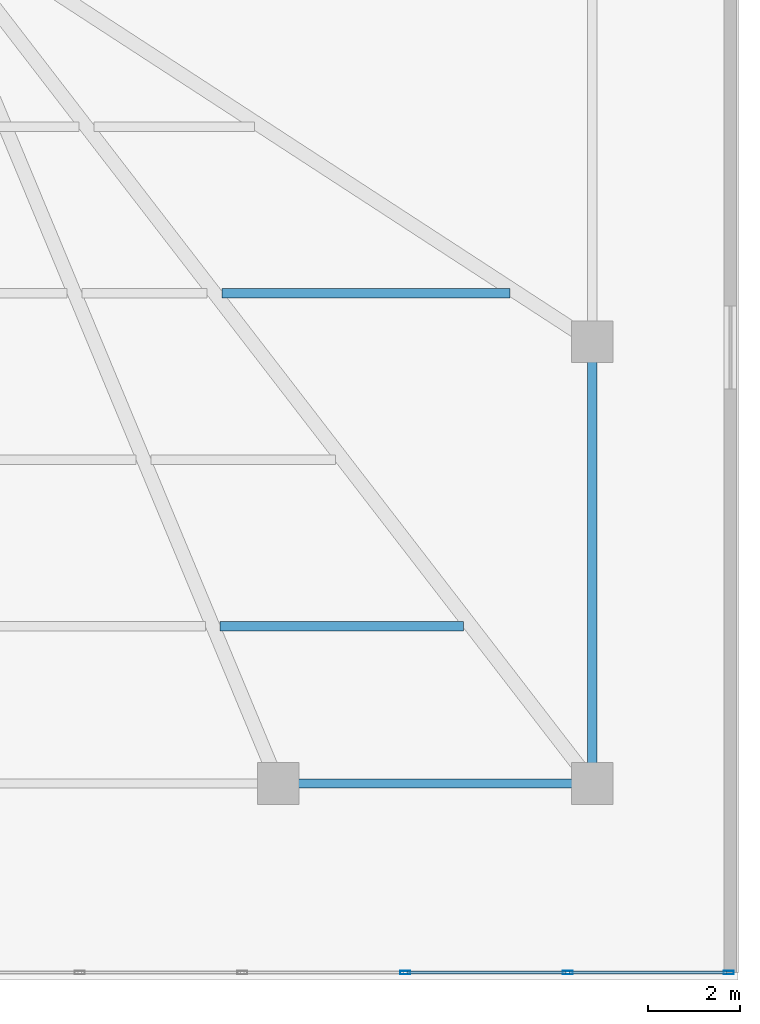
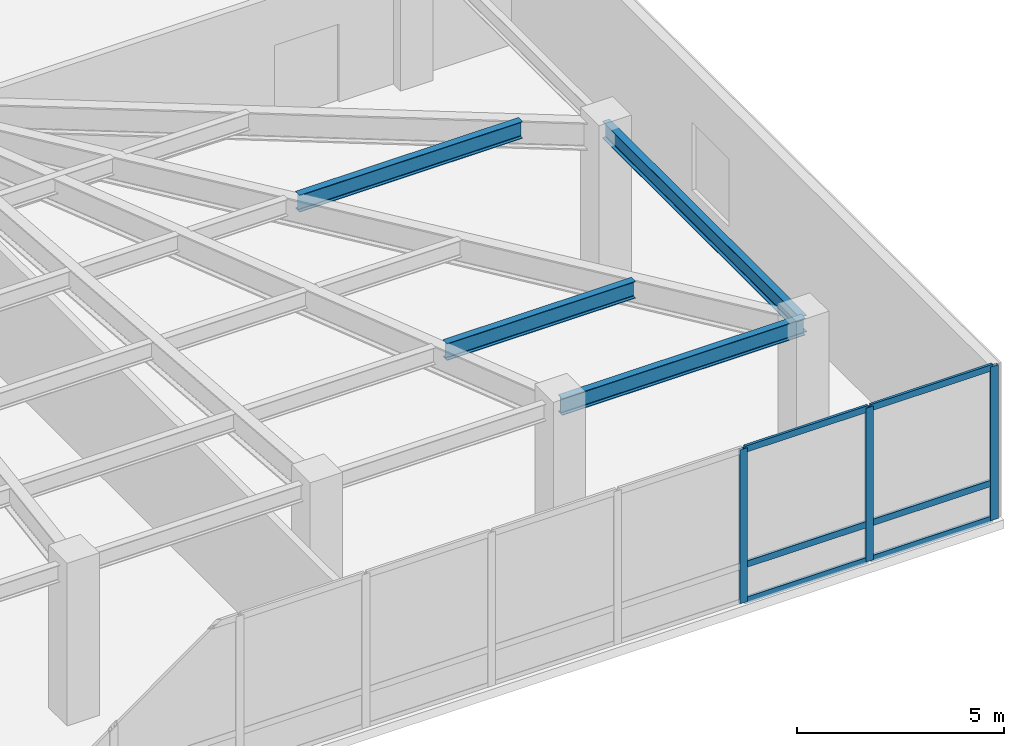
# One storey, part 10 of 19: 9 members, 4 beams, 1 element without a shape of its own.
"""IFC4 building model written with IfcOpenShell, lengths in metres."""

from ifc_helpers import new_model, si_unit, direction, frame, origin, origin_2d, place, context, subcontext, project, spatial, hollow_rectangle, i_section, extrude, material, material_profile, profile_set, type_object, element, aggregate, save


model = new_model("IFC4")

# Units and contexts
model_context = context("Model", 3, precision=1e-05, world=origin(), true_north=direction((0.0, 1.0)))
body_context = subcontext(model_context, "Body", "Model", "MODEL_VIEW")
ifc_project = project(units=[si_unit("LENGTHUNIT", "METRE"), si_unit("AREAUNIT", "SQUARE_METRE"), si_unit("VOLUMEUNIT", "CUBIC_METRE"), si_unit("PLANEANGLEUNIT", "RADIAN"), si_unit("MASSUNIT", "GRAM", prefix="KILO")], contexts=[model_context])

# Site, building, storey
site_placement = place(None, origin())
site = spatial("IfcSite", under=ifc_project, at=site_placement, CompositionType="ELEMENT")
building_placement = place(site_placement, origin())
building = spatial("IfcBuilding", under=site, at=building_placement, Name="Yelkora Congress Tower", CompositionType="ELEMENT")
storey_placement = place(building_placement, frame((0.0, 0.0, 15.60009765625)))
storey = spatial("IfcBuildingStorey", under=building, at=storey_placement, Name="L03", CompositionType="ELEMENT", Elevation=15.60009765625)

# Beams
ifc_material_1 = material(Name="Steel S355J2", Category="steel")
ifc_material_profile_1 = material_profile(ifc_material_1, i_section(OverallWidth=0.199951171875, OverallDepth=0.5, WebThickness=0.01025390625, FlangeThickness=0.01611328125, FilletRadius=0.02099609375, at=origin_2d()), Name="IPE 500")
ifc_profile_set_1 = profile_set([ifc_material_profile_1], Name="Steel S355J2")
beam_type_1 = type_object("IfcBeamType", Name="BM-JOIST-IPE500", PredefinedType="JOIST", material=ifc_profile_set_1)
beam_1_placement = place(storey_placement, frame((64.306640625, 9.449951171875, 4.289794921875), z_axis=(1.0, 0.0, 0.0), x_axis=(0.0, 1.0, 0.0)))
element("IfcBeam", 1, at=beam_1_placement, inside=storey, type_object=beam_type_1, Name="L03 Composite Floor Joist 10", PredefinedType="JOIST", context=body_context, shape_type="SweptSolid", body=[
    extrude(i_section(OverallWidth=0.199951171875, OverallDepth=0.5, WebThickness=0.01025390625, FlangeThickness=0.01611328125, FilletRadius=0.02099609375, at=origin_2d()), origin(), (0.0, 0.0, 1.0), 5.2646484375),
])
beam_2_placement = place(storey_placement, frame((64.345458984375, 16.64990234375, 4.289794921875), z_axis=(1.0, 0.0, 0.0), x_axis=(0.0, 1.0, 0.0)))
element("IfcBeam", 2, at=beam_2_placement, inside=storey, type_object=beam_type_1, Name="L03 Composite Floor Joist 31", PredefinedType="JOIST", context=body_context, shape_type="SweptSolid", body=[
    extrude(i_section(OverallWidth=0.199951171875, OverallDepth=0.5, WebThickness=0.01025390625, FlangeThickness=0.01611328125, FilletRadius=0.02099609375, at=origin_2d()), origin(), (0.0, 0.0, 1.0), 6.231201171875),
])
ifc_material_profile_2 = material_profile(ifc_material_1, i_section(OverallWidth=0.199951171875, OverallDepth=0.5, WebThickness=0.01025390625, FlangeThickness=0.01611328125, FilletRadius=0.02099609375, at=origin_2d()), Name="IPE 500")
ifc_profile_set_2 = profile_set([ifc_material_profile_2], Name="Steel S355J2")
beam_type_2 = type_object("IfcBeamType", Name="BM-SPAN-IPE500B", PredefinedType="BEAM", material=ifc_profile_set_2)
beam_3_placement = place(storey_placement, frame((65.56005859375, 6.050048828125, 4.289794921875), z_axis=(1.0, 0.0, 0.0), x_axis=(0.0, 1.0, 0.0)))
element("IfcBeam", 3, at=beam_3_placement, inside=storey, type_object=beam_type_2, Name="L03 Perimeter Beam 11", PredefinedType="BEAM", context=body_context, shape_type="SweptSolid", body=[
    extrude(i_section(OverallWidth=0.199951171875, OverallDepth=0.5, WebThickness=0.01025390625, FlangeThickness=0.01611328125, FilletRadius=0.02099609375, at=origin_2d()), origin(), (0.0, 0.0, 1.0), 6.7900390625),
])
beam_4_placement = place(storey_placement, frame((72.35009765625, 6.050048828125, 4.289794921875), z_axis=(0.0, 1.0, 0.0), x_axis=(-1.0, 0.0, 0.0)))
element("IfcBeam", 4, at=beam_4_placement, inside=storey, type_object=beam_type_2, Name="L03 Perimeter Beam 12", PredefinedType="BEAM", context=body_context, shape_type="SweptSolid", body=[
    extrude(i_section(OverallWidth=0.199951171875, OverallDepth=0.5, WebThickness=0.01025390625, FlangeThickness=0.01611328125, FilletRadius=0.02099609375, at=origin_2d()), origin(), (0.0, 0.0, 1.0), 9.550048828125),
])

# Curtain wall, members
ifc_material_2 = material(Name="Anodised aluminium and insulated glass", Category="aluminium")
curtain_wall_type = type_object("IfcCurtainWallType", Name="CW-SYS-POD", PredefinedType="NOTDEFINED", material=ifc_material_2)
curtain_wall_placement = place(storey_placement, origin())
curtain_wall = element("IfcCurtainWall", 5, at=curtain_wall_placement, inside=storey, type_object=curtain_wall_type, Name="L03 Podium South Curtain Wall", PredefinedType="NOTDEFINED")
ifc_material_3 = material(Name="Anodised aluminium 6063-T6", Category="aluminium")
ifc_material_profile_3 = material_profile(ifc_material_3, hollow_rectangle(XDim=0.074951171875, YDim=0.219970703125, WallThickness=0.0048828125, at=origin_2d()), Name="ALU 75x220x5")
ifc_profile_set_3 = profile_set([ifc_material_profile_3], Name="Anodised aluminium 6063-T6")
member_type_1 = type_object("IfcMemberType", Name="MEM-ML-POD", PredefinedType="MULLION", material=ifc_profile_set_3)
member_1_placement = place(storey_placement, frame((75.302490234375, 1.9599609375, 0.0), z_axis=(0.0, 0.0, 1.0), x_axis=(0.0, -1.0, 0.0)))
member_1 = element("IfcMember", 6, at=member_1_placement, type_object=member_type_1, Name="CW-POD mullion 1", PredefinedType="MULLION", context=body_context, shape_type="SweptSolid", body=[
    extrude(hollow_rectangle(XDim=0.074951171875, YDim=0.219970703125, WallThickness=0.0048828125, at=origin_2d()), origin(), (0.0, 0.0, 1.0), 4.539794921875),
])
member_2_placement = place(storey_placement, frame((71.822021484375, 1.9599609375, 0.0), z_axis=(0.0, 0.0, 1.0), x_axis=(0.0, -1.0, 0.0)))
member_2 = element("IfcMember", 7, at=member_2_placement, type_object=member_type_1, Name="CW-POD mullion 2", PredefinedType="MULLION", context=body_context, shape_type="SweptSolid", body=[
    extrude(hollow_rectangle(XDim=0.074951171875, YDim=0.219970703125, WallThickness=0.0048828125, at=origin_2d()), origin(), (0.0, 0.0, 1.0), 4.539794921875),
])
member_3_placement = place(storey_placement, frame((68.3037109375, 1.9599609375, 0.0), z_axis=(0.0, 0.0, 1.0), x_axis=(0.0, -1.0, 0.0)))
member_3 = element("IfcMember", 8, at=member_3_placement, type_object=member_type_1, Name="CW-POD mullion 3", PredefinedType="MULLION", context=body_context, shape_type="SweptSolid", body=[
    extrude(hollow_rectangle(XDim=0.074951171875, YDim=0.219970703125, WallThickness=0.0048828125, at=origin_2d()), origin(), (0.0, 0.0, 1.0), 4.539794921875),
])
ifc_material_profile_4 = material_profile(ifc_material_3, hollow_rectangle(XDim=0.070068359375, YDim=0.18994140625, WallThickness=0.00390625, at=origin_2d()), Name="ALU 70x190x4")
ifc_profile_set_4 = profile_set([ifc_material_profile_4], Name="Anodised aluminium 6063-T6")
member_type_2 = type_object("IfcMemberType", Name="MEM-TR-POD", PredefinedType="USERDEFINED", material=ifc_profile_set_4)
member_4_placement = place(storey_placement, frame((75.264892578125, 1.9599609375, 0.034912109375), z_axis=(-1.0, 0.0, 0.0), x_axis=(0.0, -1.0, 0.0)))
member_4 = element("IfcMember", 9, at=member_4_placement, type_object=member_type_2, Name="CW-POD transom 1.1", ObjectType="TRANSOM", PredefinedType="USERDEFINED", context=body_context, shape_type="SweptSolid", body=[
    extrude(hollow_rectangle(XDim=0.070068359375, YDim=0.18994140625, WallThickness=0.00390625, at=origin_2d()), origin(), (0.0, 0.0, 1.0), 3.405517578125),
])
member_5_placement = place(storey_placement, frame((75.264892578125, 1.9599609375, 1.099853515625), z_axis=(-1.0, 0.0, 0.0), x_axis=(0.0, -1.0, 0.0)))
member_5 = element("IfcMember", 10, at=member_5_placement, type_object=member_type_2, Name="CW-POD transom 1.2", ObjectType="TRANSOM", PredefinedType="USERDEFINED", context=body_context, shape_type="SweptSolid", body=[
    extrude(hollow_rectangle(XDim=0.070068359375, YDim=0.18994140625, WallThickness=0.00390625, at=origin_2d()), origin(), (0.0, 0.0, 1.0), 3.405517578125),
])
member_6_placement = place(storey_placement, frame((75.264892578125, 1.9599609375, 4.5048828125), z_axis=(-1.0, 0.0, 0.0), x_axis=(0.0, -1.0, 0.0)))
member_6 = element("IfcMember", 11, at=member_6_placement, type_object=member_type_2, Name="CW-POD transom 1.3", ObjectType="TRANSOM", PredefinedType="USERDEFINED", context=body_context, shape_type="SweptSolid", body=[
    extrude(hollow_rectangle(XDim=0.070068359375, YDim=0.18994140625, WallThickness=0.00390625, at=origin_2d()), origin(), (0.0, 0.0, 1.0), 3.405517578125),
])
member_7_placement = place(storey_placement, frame((71.784423828125, 1.9599609375, 0.034912109375), z_axis=(-1.0, 0.0, 0.0), x_axis=(0.0, -1.0, 0.0)))
member_7 = element("IfcMember", 12, at=member_7_placement, type_object=member_type_2, Name="CW-POD transom 2.1", ObjectType="TRANSOM", PredefinedType="USERDEFINED", context=body_context, shape_type="SweptSolid", body=[
    extrude(hollow_rectangle(XDim=0.070068359375, YDim=0.18994140625, WallThickness=0.00390625, at=origin_2d()), origin(), (0.0, 0.0, 1.0), 3.443115234375),
])
member_8_placement = place(storey_placement, frame((71.784423828125, 1.9599609375, 1.099853515625), z_axis=(-1.0, 0.0, 0.0), x_axis=(0.0, -1.0, 0.0)))
member_8 = element("IfcMember", 13, at=member_8_placement, type_object=member_type_2, Name="CW-POD transom 2.2", ObjectType="TRANSOM", PredefinedType="USERDEFINED", context=body_context, shape_type="SweptSolid", body=[
    extrude(hollow_rectangle(XDim=0.070068359375, YDim=0.18994140625, WallThickness=0.00390625, at=origin_2d()), origin(), (0.0, 0.0, 1.0), 3.443115234375),
])
member_9_placement = place(storey_placement, frame((71.784423828125, 1.9599609375, 4.5048828125), z_axis=(-1.0, 0.0, 0.0), x_axis=(0.0, -1.0, 0.0)))
member_9 = element("IfcMember", 14, at=member_9_placement, type_object=member_type_2, Name="CW-POD transom 2.3", ObjectType="TRANSOM", PredefinedType="USERDEFINED", context=body_context, shape_type="SweptSolid", body=[
    extrude(hollow_rectangle(XDim=0.070068359375, YDim=0.18994140625, WallThickness=0.00390625, at=origin_2d()), origin(), (0.0, 0.0, 1.0), 3.443115234375),
])
aggregate(curtain_wall, [member_1, member_2, member_3, member_4, member_5, member_6, member_7, member_8, member_9])

save(model, "model.ifc")
